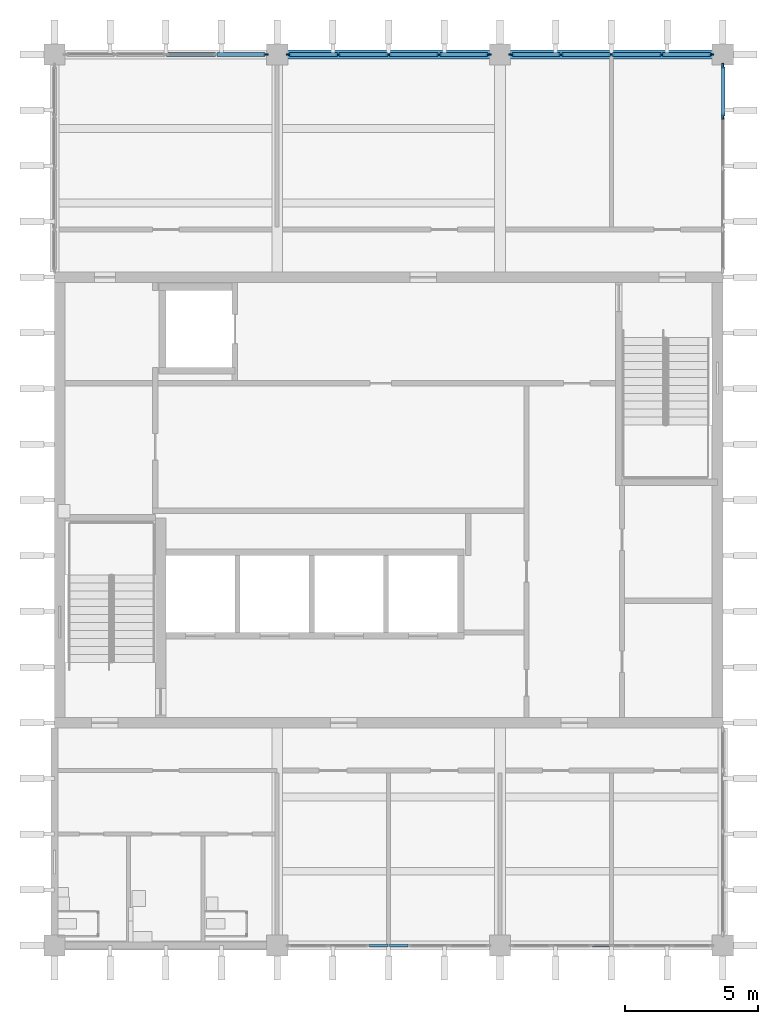
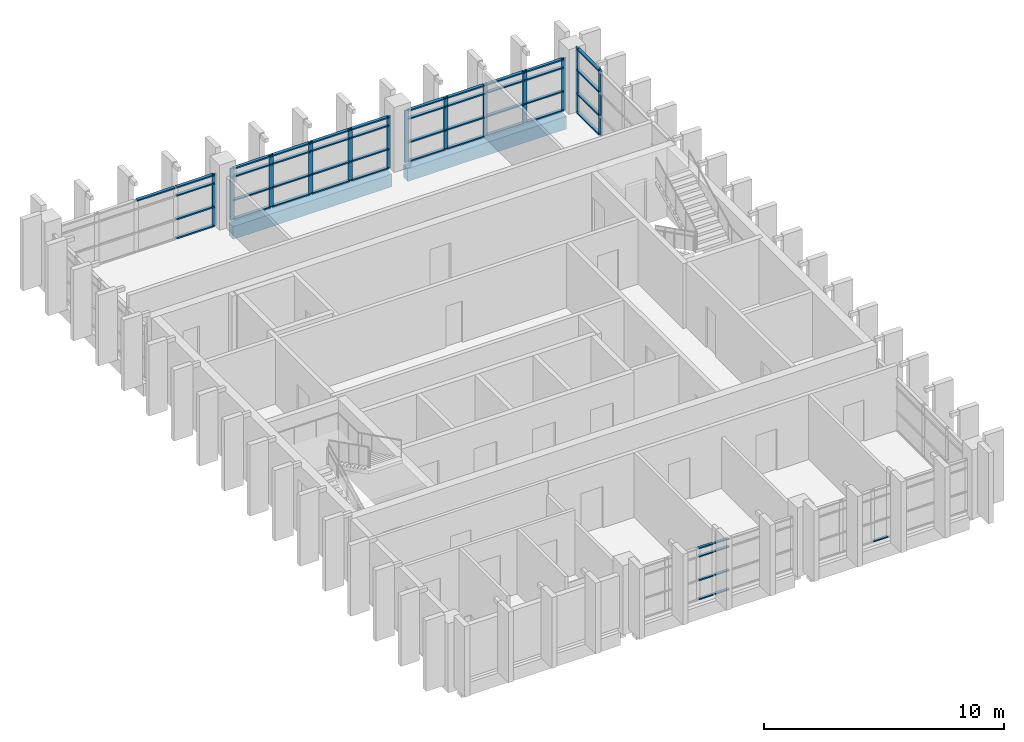
# One storey, part 4 of 11: 63 members, 2 beams, 6 elements without a shape of their own.
"""IFC4 building model written with IfcOpenShell, lengths in metres."""

from ifc_helpers import new_model, si_unit, direction, frame, origin, origin_2d, place, context, subcontext, project, spatial, rectangle, extrude, material, layer, layer_set, material_profile, profile_set, type_object, element, aggregate, save


model = new_model("IFC4")

# Units and contexts
model_context = context("Model", 3, precision=1e-05, world=origin(), true_north=direction((0.0, 1.0)))
body_context = subcontext(model_context, "Body", "Model", "MODEL_VIEW")
ifc_project = project(units=[si_unit("LENGTHUNIT", "METRE"), si_unit("AREAUNIT", "SQUARE_METRE"), si_unit("VOLUMEUNIT", "CUBIC_METRE"), si_unit("PLANEANGLEUNIT", "RADIAN"), si_unit("MASSUNIT", "GRAM", prefix="KILO")], contexts=[model_context])

# Site, building, storey
site_placement = place(None, origin())
site = spatial("IfcSite", under=ifc_project, at=site_placement, CompositionType="ELEMENT")
building_placement = place(site_placement, origin())
building = spatial("IfcBuilding", under=site, at=building_placement, Name="Rulbaag Community and Learning Centre", CompositionType="ELEMENT")
storey_placement = place(building_placement, frame((0.0, 0.0, 46.800048828125)))
storey = spatial("IfcBuildingStorey", under=building, at=storey_placement, Name="L12", CompositionType="ELEMENT", Elevation=46.800048828125)

# Beams
ifc_material_1 = material(Name="Concrete M40", Category="concrete")
ifc_material_profile_1 = material_profile(ifc_material_1, rectangle(XDim=0.35009765625, YDim=0.64990234375, at=origin_2d()), Name="RB350x650")
ifc_profile_set_1 = profile_set([ifc_material_profile_1], Name="Concrete M40")
beam_type = type_object("IfcBeamType", Name="B14 Tower edge beam, upper zone 350x650 Concrete M40", PredefinedType="BEAM", material=ifc_profile_set_1)
beam_1_placement = place(storey_placement, frame((151.580078125, 117.60009765625, -0.550048828125), z_axis=(1.0, 0.0, 0.0), x_axis=(0.0, 1.0, 0.0)))
element("IfcBeam", 1, at=beam_1_placement, inside=storey, type_object=beam_type, Name="BM-L12-19O-20O", PredefinedType="BEAM", context=body_context, shape_type="SweptSolid", body=[
    extrude(rectangle(XDim=0.35009765625, YDim=0.64990234375, at=origin_2d()), origin(), (0.0, 0.0, 1.0), 7.639892578125),
])
beam_2_placement = place(storey_placement, frame((159.97998046875, 117.60009765625, -0.550048828125), z_axis=(1.0, 0.0, 0.0), x_axis=(0.0, 1.0, 0.0)))
element("IfcBeam", 2, at=beam_2_placement, inside=storey, type_object=beam_type, Name="BM-L12-20O-21O", PredefinedType="BEAM", context=body_context, shape_type="SweptSolid", body=[
    extrude(rectangle(XDim=0.35009765625, YDim=0.64990234375, at=origin_2d()), origin(), (0.0, 0.0, 1.0), 7.64013671875),
])

# Curtain wall, members
ifc_material_2 = material(Name="Aluminium", Category="aluminium")
ifc_layer_1 = layer(ifc_material_2, 0.14990234375)
ifc_layer_set_1 = layer_set([ifc_layer_1], Name="CW-S")
curtain_wall_type_1 = type_object("IfcCurtainWallType", Name="CW-S", PredefinedType="USERDEFINED", material=ifc_layer_set_1)
curtain_wall_1_placement = place(storey_placement, origin())
curtain_wall_1 = element("IfcCurtainWall", 3, at=curtain_wall_1_placement, inside=storey, type_object=curtain_wall_type_1, Name="GS-L12-01", ObjectType="UNITISED CURTAIN WALL", PredefinedType="USERDEFINED")
ifc_material_3 = material(Name="Aluminium transom", Category="aluminium")
ifc_material_profile_2 = material_profile(ifc_material_3, rectangle(XDim=0.125, YDim=0.06005859375, at=origin_2d()), Name="AL 60x125 T")
ifc_profile_set_2 = profile_set([ifc_material_profile_2], Name="Aluminium transom")
member_type_1 = type_object("IfcMemberType", Name="CW-S-TRN", PredefinedType="USERDEFINED", material=ifc_profile_set_2)
member_1_placement = place(storey_placement, frame((154.669921875, 84.0, 0.030029296875), z_axis=(1.0, 0.0, 0.0), x_axis=(0.0, 1.0, 0.0)))
member_1 = element("IfcMember", 4, at=member_1_placement, type_object=member_type_1, Name="GS transom 3.1", ObjectType="TRANSOM", PredefinedType="USERDEFINED", context=body_context, shape_type="SweptSolid", body=[
    extrude(rectangle(XDim=0.125, YDim=0.06005859375, at=origin_2d()), origin(), (0.0, 0.0, 1.0), 0.7001953125),
])
member_2_placement = place(storey_placement, frame((154.669921875, 84.0, 1.0), z_axis=(1.0, 0.0, 0.0), x_axis=(0.0, 1.0, 0.0)))
member_2 = element("IfcMember", 5, at=member_2_placement, type_object=member_type_1, Name="GS transom 3.2", ObjectType="TRANSOM", PredefinedType="USERDEFINED", context=body_context, shape_type="SweptSolid", body=[
    extrude(rectangle(XDim=0.125, YDim=0.06005859375, at=origin_2d()), origin(), (0.0, 0.0, 1.0), 0.7001953125),
])
member_3_placement = place(storey_placement, frame((154.669921875, 84.0, 2.199951171875), z_axis=(1.0, 0.0, 0.0), x_axis=(0.0, 1.0, 0.0)))
member_3 = element("IfcMember", 6, at=member_3_placement, type_object=member_type_1, Name="GS transom 3.3", ObjectType="TRANSOM", PredefinedType="USERDEFINED", context=body_context, shape_type="SweptSolid", body=[
    extrude(rectangle(XDim=0.125, YDim=0.06005859375, at=origin_2d()), origin(), (0.0, 0.0, 1.0), 0.7001953125),
])
member_4_placement = place(storey_placement, frame((154.669921875, 84.0, 2.619873046875), z_axis=(1.0, 0.0, 0.0), x_axis=(0.0, 1.0, 0.0)))
member_4 = element("IfcMember", 7, at=member_4_placement, type_object=member_type_1, Name="GS transom 3.4", ObjectType="TRANSOM", PredefinedType="USERDEFINED", context=body_context, shape_type="SweptSolid", body=[
    extrude(rectangle(XDim=0.125, YDim=0.06005859375, at=origin_2d()), origin(), (0.0, 0.0, 1.0), 0.7001953125),
])
member_5_placement = place(storey_placement, frame((155.429931640625, 84.0, 0.030029296875), z_axis=(1.0, 0.0, 0.0), x_axis=(0.0, 1.0, 0.0)))
member_5 = element("IfcMember", 8, at=member_5_placement, type_object=member_type_1, Name="GS transom 4.1", ObjectType="TRANSOM", PredefinedType="USERDEFINED", context=body_context, shape_type="SweptSolid", body=[
    extrude(rectangle(XDim=0.125, YDim=0.06005859375, at=origin_2d()), origin(), (0.0, 0.0, 1.0), 0.699951171875),
])
member_6_placement = place(storey_placement, frame((155.429931640625, 84.0, 1.0), z_axis=(1.0, 0.0, 0.0), x_axis=(0.0, 1.0, 0.0)))
member_6 = element("IfcMember", 9, at=member_6_placement, type_object=member_type_1, Name="GS transom 4.2", ObjectType="TRANSOM", PredefinedType="USERDEFINED", context=body_context, shape_type="SweptSolid", body=[
    extrude(rectangle(XDim=0.125, YDim=0.06005859375, at=origin_2d()), origin(), (0.0, 0.0, 1.0), 0.699951171875),
])
member_7_placement = place(storey_placement, frame((155.429931640625, 84.0, 2.199951171875), z_axis=(1.0, 0.0, 0.0), x_axis=(0.0, 1.0, 0.0)))
member_7 = element("IfcMember", 10, at=member_7_placement, type_object=member_type_1, Name="GS transom 4.3", ObjectType="TRANSOM", PredefinedType="USERDEFINED", context=body_context, shape_type="SweptSolid", body=[
    extrude(rectangle(XDim=0.125, YDim=0.06005859375, at=origin_2d()), origin(), (0.0, 0.0, 1.0), 0.699951171875),
])
member_8_placement = place(storey_placement, frame((155.429931640625, 84.0, 2.619873046875), z_axis=(1.0, 0.0, 0.0), x_axis=(0.0, 1.0, 0.0)))
member_8 = element("IfcMember", 11, at=member_8_placement, type_object=member_type_1, Name="GS transom 4.4", ObjectType="TRANSOM", PredefinedType="USERDEFINED", context=body_context, shape_type="SweptSolid", body=[
    extrude(rectangle(XDim=0.125, YDim=0.06005859375, at=origin_2d()), origin(), (0.0, 0.0, 1.0), 0.699951171875),
])
aggregate(curtain_wall_1, [member_1, member_2, member_3, member_4, member_5, member_6, member_7, member_8])

# Curtain wall, member
curtain_wall_2_placement = place(storey_placement, origin())
curtain_wall_2 = element("IfcCurtainWall", 12, at=curtain_wall_2_placement, inside=storey, type_object=curtain_wall_type_1, Name="GS-L12-02", ObjectType="UNITISED CURTAIN WALL", PredefinedType="USERDEFINED")
member_9_placement = place(storey_placement, frame((163.070068359375, 84.0, 0.030029296875), z_axis=(1.0, 0.0, 0.0), x_axis=(0.0, 1.0, 0.0)))
member_9 = element("IfcMember", 13, at=member_9_placement, type_object=member_type_1, Name="GS transom 3.1", ObjectType="TRANSOM", PredefinedType="USERDEFINED", context=body_context, shape_type="SweptSolid", body=[
    extrude(rectangle(XDim=0.125, YDim=0.06005859375, at=origin_2d()), origin(), (0.0, 0.0, 1.0), 0.699951171875),
])
aggregate(curtain_wall_2, [member_9])

ifc_layer_2 = layer(ifc_material_2, 0.14990234375)
ifc_layer_set_2 = layer_set([ifc_layer_2], Name="CW-T")
curtain_wall_type_2 = type_object("IfcCurtainWallType", Name="CW-T", PredefinedType="USERDEFINED", material=ifc_layer_set_2)
curtain_wall_3_placement = place(storey_placement, origin())
curtain_wall_3 = element("IfcCurtainWall", 14, at=curtain_wall_3_placement, inside=storey, type_object=curtain_wall_type_2, Name="GT-L12-01", ObjectType="UNITISED CURTAIN WALL", PredefinedType="USERDEFINED")
ifc_material_4 = material(Name="Aluminium mullion", Category="aluminium")
ifc_material_profile_3 = material_profile(ifc_material_4, rectangle(XDim=0.06494140625, YDim=0.199951171875, at=origin_2d()), Name="AL 65x200")
ifc_profile_set_3 = profile_set([ifc_material_profile_3], Name="Aluminium mullion")
member_type_2 = type_object("IfcMemberType", Name="CW-T-MUL", PredefinedType="MULLION", material=ifc_profile_set_3)
member_10_placement = place(storey_placement, frame((150.767578125, 117.60009765625, 0.0), z_axis=(0.0, 0.0, 1.0), x_axis=(0.0, 1.0, 0.0)))
member_10 = element("IfcMember", 15, at=member_10_placement, type_object=member_type_2, Name="GT mullion 5", PredefinedType="MULLION", context=body_context, shape_type="SweptSolid", body=[
    extrude(rectangle(XDim=0.06494140625, YDim=0.199951171875, at=origin_2d()), origin(), (0.0, 0.0, 1.0), 2.64990234375),
])

# Curtain wall, members
curtain_wall_4_placement = place(storey_placement, origin())
curtain_wall_4 = element("IfcCurtainWall", 16, at=curtain_wall_4_placement, inside=storey, type_object=curtain_wall_type_2, Name="GT-L12-02", ObjectType="UNITISED CURTAIN WALL", PredefinedType="USERDEFINED")
member_11_placement = place(storey_placement, frame((151.632568359375, 117.60009765625, 0.0), z_axis=(0.0, 0.0, 1.0), x_axis=(0.0, 1.0, 0.0)))
member_11 = element("IfcMember", 17, at=member_11_placement, type_object=member_type_2, Name="GT mullion 1", PredefinedType="MULLION", context=body_context, shape_type="SweptSolid", body=[
    extrude(rectangle(XDim=0.06494140625, YDim=0.199951171875, at=origin_2d()), origin(), (0.0, 0.0, 1.0), 2.64990234375),
])
member_12_placement = place(storey_placement, frame((153.5, 117.60009765625, 0.0), z_axis=(0.0, 0.0, 1.0), x_axis=(0.0, 1.0, 0.0)))
member_12 = element("IfcMember", 18, at=member_12_placement, type_object=member_type_2, Name="GT mullion 2", PredefinedType="MULLION", context=body_context, shape_type="SweptSolid", body=[
    extrude(rectangle(XDim=0.06494140625, YDim=0.199951171875, at=origin_2d()), origin(), (0.0, 0.0, 1.0), 2.64990234375),
])
member_13_placement = place(storey_placement, frame((155.39990234375, 117.60009765625, 0.0), z_axis=(0.0, 0.0, 1.0), x_axis=(0.0, 1.0, 0.0)))
member_13 = element("IfcMember", 19, at=member_13_placement, type_object=member_type_2, Name="GT mullion 3", PredefinedType="MULLION", context=body_context, shape_type="SweptSolid", body=[
    extrude(rectangle(XDim=0.06494140625, YDim=0.199951171875, at=origin_2d()), origin(), (0.0, 0.0, 1.0), 2.64990234375),
])
member_14_placement = place(storey_placement, frame((157.300048828125, 117.60009765625, 0.0), z_axis=(0.0, 0.0, 1.0), x_axis=(0.0, 1.0, 0.0)))
member_14 = element("IfcMember", 20, at=member_14_placement, type_object=member_type_2, Name="GT mullion 4", PredefinedType="MULLION", context=body_context, shape_type="SweptSolid", body=[
    extrude(rectangle(XDim=0.06494140625, YDim=0.199951171875, at=origin_2d()), origin(), (0.0, 0.0, 1.0), 2.64990234375),
])
member_15_placement = place(storey_placement, frame((159.16748046875, 117.60009765625, 0.0), z_axis=(0.0, 0.0, 1.0), x_axis=(0.0, 1.0, 0.0)))
member_15 = element("IfcMember", 21, at=member_15_placement, type_object=member_type_2, Name="GT mullion 5", PredefinedType="MULLION", context=body_context, shape_type="SweptSolid", body=[
    extrude(rectangle(XDim=0.06494140625, YDim=0.199951171875, at=origin_2d()), origin(), (0.0, 0.0, 1.0), 2.64990234375),
])

curtain_wall_5_placement = place(storey_placement, origin())
curtain_wall_5 = element("IfcCurtainWall", 22, at=curtain_wall_5_placement, inside=storey, type_object=curtain_wall_type_2, Name="GT-L12-03", ObjectType="UNITISED CURTAIN WALL", PredefinedType="USERDEFINED")
member_16_placement = place(storey_placement, frame((160.032470703125, 117.60009765625, 0.0), z_axis=(0.0, 0.0, 1.0), x_axis=(0.0, 1.0, 0.0)))
member_16 = element("IfcMember", 23, at=member_16_placement, type_object=member_type_2, Name="GT mullion 1", PredefinedType="MULLION", context=body_context, shape_type="SweptSolid", body=[
    extrude(rectangle(XDim=0.06494140625, YDim=0.199951171875, at=origin_2d()), origin(), (0.0, 0.0, 1.0), 2.64990234375),
])
member_17_placement = place(storey_placement, frame((161.89990234375, 117.60009765625, 0.0), z_axis=(0.0, 0.0, 1.0), x_axis=(0.0, 1.0, 0.0)))
member_17 = element("IfcMember", 24, at=member_17_placement, type_object=member_type_2, Name="GT mullion 2", PredefinedType="MULLION", context=body_context, shape_type="SweptSolid", body=[
    extrude(rectangle(XDim=0.06494140625, YDim=0.199951171875, at=origin_2d()), origin(), (0.0, 0.0, 1.0), 2.64990234375),
])
member_18_placement = place(storey_placement, frame((163.800048828125, 117.60009765625, 0.0), z_axis=(0.0, 0.0, 1.0), x_axis=(0.0, 1.0, 0.0)))
member_18 = element("IfcMember", 25, at=member_18_placement, type_object=member_type_2, Name="GT mullion 3", PredefinedType="MULLION", context=body_context, shape_type="SweptSolid", body=[
    extrude(rectangle(XDim=0.06494140625, YDim=0.199951171875, at=origin_2d()), origin(), (0.0, 0.0, 1.0), 2.64990234375),
])
member_19_placement = place(storey_placement, frame((165.699951171875, 117.60009765625, 0.0), z_axis=(0.0, 0.0, 1.0), x_axis=(0.0, 1.0, 0.0)))
member_19 = element("IfcMember", 26, at=member_19_placement, type_object=member_type_2, Name="GT mullion 4", PredefinedType="MULLION", context=body_context, shape_type="SweptSolid", body=[
    extrude(rectangle(XDim=0.06494140625, YDim=0.199951171875, at=origin_2d()), origin(), (0.0, 0.0, 1.0), 2.64990234375),
])
member_20_placement = place(storey_placement, frame((167.5673828125, 117.60009765625, 0.0), z_axis=(0.0, 0.0, 1.0), x_axis=(0.0, 1.0, 0.0)))
member_20 = element("IfcMember", 27, at=member_20_placement, type_object=member_type_2, Name="GT mullion 5", PredefinedType="MULLION", context=body_context, shape_type="SweptSolid", body=[
    extrude(rectangle(XDim=0.06494140625, YDim=0.199951171875, at=origin_2d()), origin(), (0.0, 0.0, 1.0), 2.64990234375),
])

curtain_wall_6_placement = place(storey_placement, origin())
curtain_wall_6 = element("IfcCurtainWall", 28, at=curtain_wall_6_placement, inside=storey, type_object=curtain_wall_type_2, Name="GT-L12-06", ObjectType="UNITISED CURTAIN WALL", PredefinedType="USERDEFINED")
member_21_placement = place(storey_placement, frame((168.0, 115.25634765625, 0.0), z_axis=(0.0, 0.0, 1.0), x_axis=(-1.0, 0.0, 0.0)))
member_21 = element("IfcMember", 29, at=member_21_placement, type_object=member_type_2, Name="GT mullion 4", PredefinedType="MULLION", context=body_context, shape_type="SweptSolid", body=[
    extrude(rectangle(XDim=0.06494140625, YDim=0.199951171875, at=origin_2d()), origin(), (0.0, 0.0, 1.0), 3.300048828125),
])
member_22_placement = place(storey_placement, frame((168.0, 117.16748046875, 0.0), z_axis=(0.0, 0.0, 1.0), x_axis=(-1.0, 0.0, 0.0)))
member_22 = element("IfcMember", 30, at=member_22_placement, type_object=member_type_2, Name="GT mullion 5", PredefinedType="MULLION", context=body_context, shape_type="SweptSolid", body=[
    extrude(rectangle(XDim=0.06494140625, YDim=0.199951171875, at=origin_2d()), origin(), (0.0, 0.0, 1.0), 3.300048828125),
])

# Member
ifc_material_profile_4 = material_profile(ifc_material_3, rectangle(XDim=0.14990234375, YDim=0.06494140625, at=origin_2d()), Name="AL 65x150 T")
ifc_profile_set_4 = profile_set([ifc_material_profile_4], Name="Aluminium transom")
member_type_3 = type_object("IfcMemberType", Name="CW-T-TRN", PredefinedType="USERDEFINED", material=ifc_profile_set_4)
member_23_placement = place(storey_placement, frame((147.032470703125, 117.60009765625, 2.617431640625), z_axis=(1.0, 0.0, 0.0), x_axis=(0.0, 1.0, 0.0)))
member_23 = element("IfcMember", 31, at=member_23_placement, type_object=member_type_3, Name="GT transom 3.4", ObjectType="TRANSOM", PredefinedType="USERDEFINED", context=body_context, shape_type="SweptSolid", body=[
    extrude(rectangle(XDim=0.14990234375, YDim=0.06494140625, at=origin_2d()), origin(), (0.0, 0.0, 1.0), 1.8349609375),
])

member_24_placement = place(storey_placement, frame((148.9326171875, 117.60009765625, 0.032470703125), z_axis=(1.0, 0.0, 0.0), x_axis=(0.0, 1.0, 0.0)))
member_24 = element("IfcMember", 32, at=member_24_placement, type_object=member_type_3, Name="GT transom 4.1", ObjectType="TRANSOM", PredefinedType="USERDEFINED", context=body_context, shape_type="SweptSolid", body=[
    extrude(rectangle(XDim=0.14990234375, YDim=0.06494140625, at=origin_2d()), origin(), (0.0, 0.0, 1.0), 1.802490234375),
])

member_25_placement = place(storey_placement, frame((148.9326171875, 117.60009765625, 1.0), z_axis=(1.0, 0.0, 0.0), x_axis=(0.0, 1.0, 0.0)))
member_25 = element("IfcMember", 33, at=member_25_placement, type_object=member_type_3, Name="GT transom 4.2", ObjectType="TRANSOM", PredefinedType="USERDEFINED", context=body_context, shape_type="SweptSolid", body=[
    extrude(rectangle(XDim=0.14990234375, YDim=0.06494140625, at=origin_2d()), origin(), (0.0, 0.0, 1.0), 1.802490234375),
])

member_26_placement = place(storey_placement, frame((148.9326171875, 117.60009765625, 2.199951171875), z_axis=(1.0, 0.0, 0.0), x_axis=(0.0, 1.0, 0.0)))
member_26 = element("IfcMember", 34, at=member_26_placement, type_object=member_type_3, Name="GT transom 4.3", ObjectType="TRANSOM", PredefinedType="USERDEFINED", context=body_context, shape_type="SweptSolid", body=[
    extrude(rectangle(XDim=0.14990234375, YDim=0.06494140625, at=origin_2d()), origin(), (0.0, 0.0, 1.0), 1.802490234375),
])

member_27_placement = place(storey_placement, frame((148.9326171875, 117.60009765625, 2.617431640625), z_axis=(1.0, 0.0, 0.0), x_axis=(0.0, 1.0, 0.0)))
member_27 = element("IfcMember", 35, at=member_27_placement, type_object=member_type_3, Name="GT transom 4.4", ObjectType="TRANSOM", PredefinedType="USERDEFINED", context=body_context, shape_type="SweptSolid", body=[
    extrude(rectangle(XDim=0.14990234375, YDim=0.06494140625, at=origin_2d()), origin(), (0.0, 0.0, 1.0), 1.802490234375),
])

aggregate(curtain_wall_3, [member_10, member_23, member_24, member_25, member_26, member_27])

member_28_placement = place(storey_placement, frame((151.6650390625, 117.60009765625, 0.032470703125), z_axis=(1.0, 0.0, 0.0), x_axis=(0.0, 1.0, 0.0)))
member_28 = element("IfcMember", 36, at=member_28_placement, type_object=member_type_3, Name="GT transom 1.1", ObjectType="TRANSOM", PredefinedType="USERDEFINED", context=body_context, shape_type="SweptSolid", body=[
    extrude(rectangle(XDim=0.14990234375, YDim=0.06494140625, at=origin_2d()), origin(), (0.0, 0.0, 1.0), 1.802490234375),
])

member_29_placement = place(storey_placement, frame((151.6650390625, 117.60009765625, 1.0), z_axis=(1.0, 0.0, 0.0), x_axis=(0.0, 1.0, 0.0)))
member_29 = element("IfcMember", 37, at=member_29_placement, type_object=member_type_3, Name="GT transom 1.2", ObjectType="TRANSOM", PredefinedType="USERDEFINED", context=body_context, shape_type="SweptSolid", body=[
    extrude(rectangle(XDim=0.14990234375, YDim=0.06494140625, at=origin_2d()), origin(), (0.0, 0.0, 1.0), 1.802490234375),
])

member_30_placement = place(storey_placement, frame((151.6650390625, 117.60009765625, 2.199951171875), z_axis=(1.0, 0.0, 0.0), x_axis=(0.0, 1.0, 0.0)))
member_30 = element("IfcMember", 38, at=member_30_placement, type_object=member_type_3, Name="GT transom 1.3", ObjectType="TRANSOM", PredefinedType="USERDEFINED", context=body_context, shape_type="SweptSolid", body=[
    extrude(rectangle(XDim=0.14990234375, YDim=0.06494140625, at=origin_2d()), origin(), (0.0, 0.0, 1.0), 1.802490234375),
])

member_31_placement = place(storey_placement, frame((151.6650390625, 117.60009765625, 2.617431640625), z_axis=(1.0, 0.0, 0.0), x_axis=(0.0, 1.0, 0.0)))
member_31 = element("IfcMember", 39, at=member_31_placement, type_object=member_type_3, Name="GT transom 1.4", ObjectType="TRANSOM", PredefinedType="USERDEFINED", context=body_context, shape_type="SweptSolid", body=[
    extrude(rectangle(XDim=0.14990234375, YDim=0.06494140625, at=origin_2d()), origin(), (0.0, 0.0, 1.0), 1.802490234375),
])

member_32_placement = place(storey_placement, frame((153.532470703125, 117.60009765625, 0.032470703125), z_axis=(1.0, 0.0, 0.0), x_axis=(0.0, 1.0, 0.0)))
member_32 = element("IfcMember", 40, at=member_32_placement, type_object=member_type_3, Name="GT transom 2.1", ObjectType="TRANSOM", PredefinedType="USERDEFINED", context=body_context, shape_type="SweptSolid", body=[
    extrude(rectangle(XDim=0.14990234375, YDim=0.06494140625, at=origin_2d()), origin(), (0.0, 0.0, 1.0), 1.8349609375),
])

member_33_placement = place(storey_placement, frame((153.532470703125, 117.60009765625, 1.0), z_axis=(1.0, 0.0, 0.0), x_axis=(0.0, 1.0, 0.0)))
member_33 = element("IfcMember", 41, at=member_33_placement, type_object=member_type_3, Name="GT transom 2.2", ObjectType="TRANSOM", PredefinedType="USERDEFINED", context=body_context, shape_type="SweptSolid", body=[
    extrude(rectangle(XDim=0.14990234375, YDim=0.06494140625, at=origin_2d()), origin(), (0.0, 0.0, 1.0), 1.8349609375),
])

member_34_placement = place(storey_placement, frame((153.532470703125, 117.60009765625, 2.199951171875), z_axis=(1.0, 0.0, 0.0), x_axis=(0.0, 1.0, 0.0)))
member_34 = element("IfcMember", 42, at=member_34_placement, type_object=member_type_3, Name="GT transom 2.3", ObjectType="TRANSOM", PredefinedType="USERDEFINED", context=body_context, shape_type="SweptSolid", body=[
    extrude(rectangle(XDim=0.14990234375, YDim=0.06494140625, at=origin_2d()), origin(), (0.0, 0.0, 1.0), 1.8349609375),
])

member_35_placement = place(storey_placement, frame((153.532470703125, 117.60009765625, 2.617431640625), z_axis=(1.0, 0.0, 0.0), x_axis=(0.0, 1.0, 0.0)))
member_35 = element("IfcMember", 43, at=member_35_placement, type_object=member_type_3, Name="GT transom 2.4", ObjectType="TRANSOM", PredefinedType="USERDEFINED", context=body_context, shape_type="SweptSolid", body=[
    extrude(rectangle(XDim=0.14990234375, YDim=0.06494140625, at=origin_2d()), origin(), (0.0, 0.0, 1.0), 1.8349609375),
])

member_36_placement = place(storey_placement, frame((155.4326171875, 117.60009765625, 0.032470703125), z_axis=(1.0, 0.0, 0.0), x_axis=(0.0, 1.0, 0.0)))
member_36 = element("IfcMember", 44, at=member_36_placement, type_object=member_type_3, Name="GT transom 3.1", ObjectType="TRANSOM", PredefinedType="USERDEFINED", context=body_context, shape_type="SweptSolid", body=[
    extrude(rectangle(XDim=0.14990234375, YDim=0.06494140625, at=origin_2d()), origin(), (0.0, 0.0, 1.0), 1.8349609375),
])

member_37_placement = place(storey_placement, frame((155.4326171875, 117.60009765625, 1.0), z_axis=(1.0, 0.0, 0.0), x_axis=(0.0, 1.0, 0.0)))
member_37 = element("IfcMember", 45, at=member_37_placement, type_object=member_type_3, Name="GT transom 3.2", ObjectType="TRANSOM", PredefinedType="USERDEFINED", context=body_context, shape_type="SweptSolid", body=[
    extrude(rectangle(XDim=0.14990234375, YDim=0.06494140625, at=origin_2d()), origin(), (0.0, 0.0, 1.0), 1.8349609375),
])

member_38_placement = place(storey_placement, frame((155.4326171875, 117.60009765625, 2.199951171875), z_axis=(1.0, 0.0, 0.0), x_axis=(0.0, 1.0, 0.0)))
member_38 = element("IfcMember", 46, at=member_38_placement, type_object=member_type_3, Name="GT transom 3.3", ObjectType="TRANSOM", PredefinedType="USERDEFINED", context=body_context, shape_type="SweptSolid", body=[
    extrude(rectangle(XDim=0.14990234375, YDim=0.06494140625, at=origin_2d()), origin(), (0.0, 0.0, 1.0), 1.8349609375),
])

member_39_placement = place(storey_placement, frame((155.4326171875, 117.60009765625, 2.617431640625), z_axis=(1.0, 0.0, 0.0), x_axis=(0.0, 1.0, 0.0)))
member_39 = element("IfcMember", 47, at=member_39_placement, type_object=member_type_3, Name="GT transom 3.4", ObjectType="TRANSOM", PredefinedType="USERDEFINED", context=body_context, shape_type="SweptSolid", body=[
    extrude(rectangle(XDim=0.14990234375, YDim=0.06494140625, at=origin_2d()), origin(), (0.0, 0.0, 1.0), 1.8349609375),
])

member_40_placement = place(storey_placement, frame((157.33251953125, 117.60009765625, 0.032470703125), z_axis=(1.0, 0.0, 0.0), x_axis=(0.0, 1.0, 0.0)))
member_40 = element("IfcMember", 48, at=member_40_placement, type_object=member_type_3, Name="GT transom 4.1", ObjectType="TRANSOM", PredefinedType="USERDEFINED", context=body_context, shape_type="SweptSolid", body=[
    extrude(rectangle(XDim=0.14990234375, YDim=0.06494140625, at=origin_2d()), origin(), (0.0, 0.0, 1.0), 1.802490234375),
])

member_41_placement = place(storey_placement, frame((157.33251953125, 117.60009765625, 1.0), z_axis=(1.0, 0.0, 0.0), x_axis=(0.0, 1.0, 0.0)))
member_41 = element("IfcMember", 49, at=member_41_placement, type_object=member_type_3, Name="GT transom 4.2", ObjectType="TRANSOM", PredefinedType="USERDEFINED", context=body_context, shape_type="SweptSolid", body=[
    extrude(rectangle(XDim=0.14990234375, YDim=0.06494140625, at=origin_2d()), origin(), (0.0, 0.0, 1.0), 1.802490234375),
])

member_42_placement = place(storey_placement, frame((157.33251953125, 117.60009765625, 2.199951171875), z_axis=(1.0, 0.0, 0.0), x_axis=(0.0, 1.0, 0.0)))
member_42 = element("IfcMember", 50, at=member_42_placement, type_object=member_type_3, Name="GT transom 4.3", ObjectType="TRANSOM", PredefinedType="USERDEFINED", context=body_context, shape_type="SweptSolid", body=[
    extrude(rectangle(XDim=0.14990234375, YDim=0.06494140625, at=origin_2d()), origin(), (0.0, 0.0, 1.0), 1.802490234375),
])

member_43_placement = place(storey_placement, frame((157.33251953125, 117.60009765625, 2.617431640625), z_axis=(1.0, 0.0, 0.0), x_axis=(0.0, 1.0, 0.0)))
member_43 = element("IfcMember", 51, at=member_43_placement, type_object=member_type_3, Name="GT transom 4.4", ObjectType="TRANSOM", PredefinedType="USERDEFINED", context=body_context, shape_type="SweptSolid", body=[
    extrude(rectangle(XDim=0.14990234375, YDim=0.06494140625, at=origin_2d()), origin(), (0.0, 0.0, 1.0), 1.802490234375),
])

aggregate(curtain_wall_4, [member_11, member_12, member_13, member_14, member_15, member_28, member_29, member_30, member_31, member_32, member_33, member_34, member_35, member_36, member_37, member_38, member_39, member_40, member_41, member_42, member_43])

member_44_placement = place(storey_placement, frame((160.06494140625, 117.60009765625, 0.032470703125), z_axis=(1.0, 0.0, 0.0), x_axis=(0.0, 1.0, 0.0)))
member_44 = element("IfcMember", 52, at=member_44_placement, type_object=member_type_3, Name="GT transom 1.1", ObjectType="TRANSOM", PredefinedType="USERDEFINED", context=body_context, shape_type="SweptSolid", body=[
    extrude(rectangle(XDim=0.14990234375, YDim=0.06494140625, at=origin_2d()), origin(), (0.0, 0.0, 1.0), 1.802490234375),
])

member_45_placement = place(storey_placement, frame((160.06494140625, 117.60009765625, 1.0), z_axis=(1.0, 0.0, 0.0), x_axis=(0.0, 1.0, 0.0)))
member_45 = element("IfcMember", 53, at=member_45_placement, type_object=member_type_3, Name="GT transom 1.2", ObjectType="TRANSOM", PredefinedType="USERDEFINED", context=body_context, shape_type="SweptSolid", body=[
    extrude(rectangle(XDim=0.14990234375, YDim=0.06494140625, at=origin_2d()), origin(), (0.0, 0.0, 1.0), 1.802490234375),
])

member_46_placement = place(storey_placement, frame((160.06494140625, 117.60009765625, 2.199951171875), z_axis=(1.0, 0.0, 0.0), x_axis=(0.0, 1.0, 0.0)))
member_46 = element("IfcMember", 54, at=member_46_placement, type_object=member_type_3, Name="GT transom 1.3", ObjectType="TRANSOM", PredefinedType="USERDEFINED", context=body_context, shape_type="SweptSolid", body=[
    extrude(rectangle(XDim=0.14990234375, YDim=0.06494140625, at=origin_2d()), origin(), (0.0, 0.0, 1.0), 1.802490234375),
])

member_47_placement = place(storey_placement, frame((160.06494140625, 117.60009765625, 2.617431640625), z_axis=(1.0, 0.0, 0.0), x_axis=(0.0, 1.0, 0.0)))
member_47 = element("IfcMember", 55, at=member_47_placement, type_object=member_type_3, Name="GT transom 1.4", ObjectType="TRANSOM", PredefinedType="USERDEFINED", context=body_context, shape_type="SweptSolid", body=[
    extrude(rectangle(XDim=0.14990234375, YDim=0.06494140625, at=origin_2d()), origin(), (0.0, 0.0, 1.0), 1.802490234375),
])

member_48_placement = place(storey_placement, frame((161.9326171875, 117.60009765625, 0.032470703125), z_axis=(1.0, 0.0, 0.0), x_axis=(0.0, 1.0, 0.0)))
member_48 = element("IfcMember", 56, at=member_48_placement, type_object=member_type_3, Name="GT transom 2.1", ObjectType="TRANSOM", PredefinedType="USERDEFINED", context=body_context, shape_type="SweptSolid", body=[
    extrude(rectangle(XDim=0.14990234375, YDim=0.06494140625, at=origin_2d()), origin(), (0.0, 0.0, 1.0), 1.8349609375),
])

member_49_placement = place(storey_placement, frame((161.9326171875, 117.60009765625, 1.0), z_axis=(1.0, 0.0, 0.0), x_axis=(0.0, 1.0, 0.0)))
member_49 = element("IfcMember", 57, at=member_49_placement, type_object=member_type_3, Name="GT transom 2.2", ObjectType="TRANSOM", PredefinedType="USERDEFINED", context=body_context, shape_type="SweptSolid", body=[
    extrude(rectangle(XDim=0.14990234375, YDim=0.06494140625, at=origin_2d()), origin(), (0.0, 0.0, 1.0), 1.8349609375),
])

member_50_placement = place(storey_placement, frame((161.9326171875, 117.60009765625, 2.199951171875), z_axis=(1.0, 0.0, 0.0), x_axis=(0.0, 1.0, 0.0)))
member_50 = element("IfcMember", 58, at=member_50_placement, type_object=member_type_3, Name="GT transom 2.3", ObjectType="TRANSOM", PredefinedType="USERDEFINED", context=body_context, shape_type="SweptSolid", body=[
    extrude(rectangle(XDim=0.14990234375, YDim=0.06494140625, at=origin_2d()), origin(), (0.0, 0.0, 1.0), 1.8349609375),
])

member_51_placement = place(storey_placement, frame((161.9326171875, 117.60009765625, 2.617431640625), z_axis=(1.0, 0.0, 0.0), x_axis=(0.0, 1.0, 0.0)))
member_51 = element("IfcMember", 59, at=member_51_placement, type_object=member_type_3, Name="GT transom 2.4", ObjectType="TRANSOM", PredefinedType="USERDEFINED", context=body_context, shape_type="SweptSolid", body=[
    extrude(rectangle(XDim=0.14990234375, YDim=0.06494140625, at=origin_2d()), origin(), (0.0, 0.0, 1.0), 1.8349609375),
])

member_52_placement = place(storey_placement, frame((163.83251953125, 117.60009765625, 0.032470703125), z_axis=(1.0, 0.0, 0.0), x_axis=(0.0, 1.0, 0.0)))
member_52 = element("IfcMember", 60, at=member_52_placement, type_object=member_type_3, Name="GT transom 3.1", ObjectType="TRANSOM", PredefinedType="USERDEFINED", context=body_context, shape_type="SweptSolid", body=[
    extrude(rectangle(XDim=0.14990234375, YDim=0.06494140625, at=origin_2d()), origin(), (0.0, 0.0, 1.0), 1.8349609375),
])

member_53_placement = place(storey_placement, frame((163.83251953125, 117.60009765625, 1.0), z_axis=(1.0, 0.0, 0.0), x_axis=(0.0, 1.0, 0.0)))
member_53 = element("IfcMember", 61, at=member_53_placement, type_object=member_type_3, Name="GT transom 3.2", ObjectType="TRANSOM", PredefinedType="USERDEFINED", context=body_context, shape_type="SweptSolid", body=[
    extrude(rectangle(XDim=0.14990234375, YDim=0.06494140625, at=origin_2d()), origin(), (0.0, 0.0, 1.0), 1.8349609375),
])

member_54_placement = place(storey_placement, frame((163.83251953125, 117.60009765625, 2.199951171875), z_axis=(1.0, 0.0, 0.0), x_axis=(0.0, 1.0, 0.0)))
member_54 = element("IfcMember", 62, at=member_54_placement, type_object=member_type_3, Name="GT transom 3.3", ObjectType="TRANSOM", PredefinedType="USERDEFINED", context=body_context, shape_type="SweptSolid", body=[
    extrude(rectangle(XDim=0.14990234375, YDim=0.06494140625, at=origin_2d()), origin(), (0.0, 0.0, 1.0), 1.8349609375),
])

member_55_placement = place(storey_placement, frame((163.83251953125, 117.60009765625, 2.617431640625), z_axis=(1.0, 0.0, 0.0), x_axis=(0.0, 1.0, 0.0)))
member_55 = element("IfcMember", 63, at=member_55_placement, type_object=member_type_3, Name="GT transom 3.4", ObjectType="TRANSOM", PredefinedType="USERDEFINED", context=body_context, shape_type="SweptSolid", body=[
    extrude(rectangle(XDim=0.14990234375, YDim=0.06494140625, at=origin_2d()), origin(), (0.0, 0.0, 1.0), 1.8349609375),
])

member_56_placement = place(storey_placement, frame((165.732421875, 117.60009765625, 0.032470703125), z_axis=(1.0, 0.0, 0.0), x_axis=(0.0, 1.0, 0.0)))
member_56 = element("IfcMember", 64, at=member_56_placement, type_object=member_type_3, Name="GT transom 4.1", ObjectType="TRANSOM", PredefinedType="USERDEFINED", context=body_context, shape_type="SweptSolid", body=[
    extrude(rectangle(XDim=0.14990234375, YDim=0.06494140625, at=origin_2d()), origin(), (0.0, 0.0, 1.0), 1.802490234375),
])

member_57_placement = place(storey_placement, frame((165.732421875, 117.60009765625, 1.0), z_axis=(1.0, 0.0, 0.0), x_axis=(0.0, 1.0, 0.0)))
member_57 = element("IfcMember", 65, at=member_57_placement, type_object=member_type_3, Name="GT transom 4.2", ObjectType="TRANSOM", PredefinedType="USERDEFINED", context=body_context, shape_type="SweptSolid", body=[
    extrude(rectangle(XDim=0.14990234375, YDim=0.06494140625, at=origin_2d()), origin(), (0.0, 0.0, 1.0), 1.802490234375),
])

member_58_placement = place(storey_placement, frame((165.732421875, 117.60009765625, 2.199951171875), z_axis=(1.0, 0.0, 0.0), x_axis=(0.0, 1.0, 0.0)))
member_58 = element("IfcMember", 66, at=member_58_placement, type_object=member_type_3, Name="GT transom 4.3", ObjectType="TRANSOM", PredefinedType="USERDEFINED", context=body_context, shape_type="SweptSolid", body=[
    extrude(rectangle(XDim=0.14990234375, YDim=0.06494140625, at=origin_2d()), origin(), (0.0, 0.0, 1.0), 1.802490234375),
])

member_59_placement = place(storey_placement, frame((165.732421875, 117.60009765625, 2.617431640625), z_axis=(1.0, 0.0, 0.0), x_axis=(0.0, 1.0, 0.0)))
member_59 = element("IfcMember", 67, at=member_59_placement, type_object=member_type_3, Name="GT transom 4.4", ObjectType="TRANSOM", PredefinedType="USERDEFINED", context=body_context, shape_type="SweptSolid", body=[
    extrude(rectangle(XDim=0.14990234375, YDim=0.06494140625, at=origin_2d()), origin(), (0.0, 0.0, 1.0), 1.802490234375),
])

aggregate(curtain_wall_5, [member_16, member_17, member_18, member_19, member_20, member_44, member_45, member_46, member_47, member_48, member_49, member_50, member_51, member_52, member_53, member_54, member_55, member_56, member_57, member_58, member_59])

member_60_placement = place(storey_placement, frame((168.0, 115.288818359375, 0.032470703125), z_axis=(0.0, 1.0, 0.0), x_axis=(-1.0, 0.0, 0.0)))
member_60 = element("IfcMember", 68, at=member_60_placement, type_object=member_type_3, Name="GT transom 4.1", ObjectType="TRANSOM", PredefinedType="USERDEFINED", context=body_context, shape_type="SweptSolid", body=[
    extrude(rectangle(XDim=0.14990234375, YDim=0.06494140625, at=origin_2d()), origin(), (0.0, 0.0, 1.0), 1.84619140625),
])

member_61_placement = place(storey_placement, frame((168.0, 115.288818359375, 1.0), z_axis=(0.0, 1.0, 0.0), x_axis=(-1.0, 0.0, 0.0)))
member_61 = element("IfcMember", 69, at=member_61_placement, type_object=member_type_3, Name="GT transom 4.2", ObjectType="TRANSOM", PredefinedType="USERDEFINED", context=body_context, shape_type="SweptSolid", body=[
    extrude(rectangle(XDim=0.14990234375, YDim=0.06494140625, at=origin_2d()), origin(), (0.0, 0.0, 1.0), 1.84619140625),
])

member_62_placement = place(storey_placement, frame((168.0, 115.288818359375, 2.199951171875), z_axis=(0.0, 1.0, 0.0), x_axis=(-1.0, 0.0, 0.0)))
member_62 = element("IfcMember", 70, at=member_62_placement, type_object=member_type_3, Name="GT transom 4.3", ObjectType="TRANSOM", PredefinedType="USERDEFINED", context=body_context, shape_type="SweptSolid", body=[
    extrude(rectangle(XDim=0.14990234375, YDim=0.06494140625, at=origin_2d()), origin(), (0.0, 0.0, 1.0), 1.84619140625),
])

member_63_placement = place(storey_placement, frame((168.0, 115.288818359375, 3.267333984375), z_axis=(0.0, 1.0, 0.0), x_axis=(-1.0, 0.0, 0.0)))
member_63 = element("IfcMember", 71, at=member_63_placement, type_object=member_type_3, Name="GT transom 4.4", ObjectType="TRANSOM", PredefinedType="USERDEFINED", context=body_context, shape_type="SweptSolid", body=[
    extrude(rectangle(XDim=0.14990234375, YDim=0.06494140625, at=origin_2d()), origin(), (0.0, 0.0, 1.0), 1.84619140625),
])

aggregate(curtain_wall_6, [member_21, member_22, member_60, member_61, member_62, member_63])

save(model, "model.ifc")
